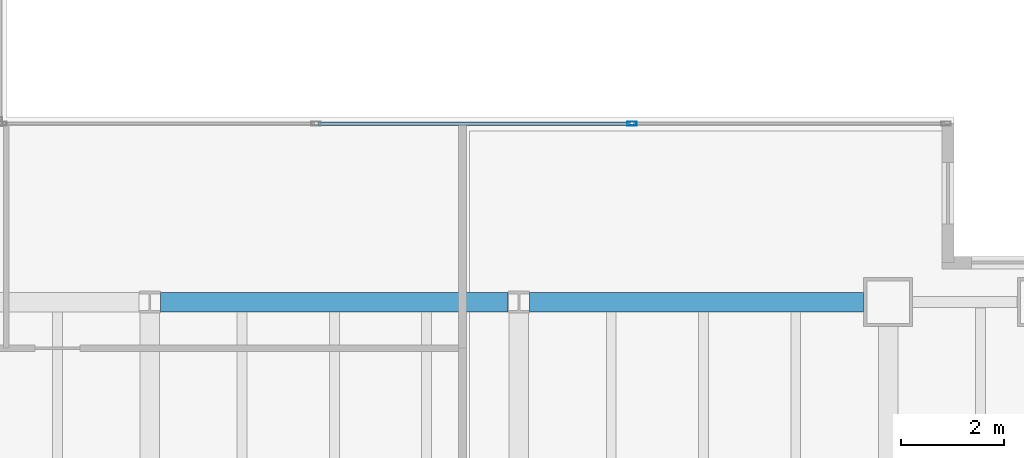
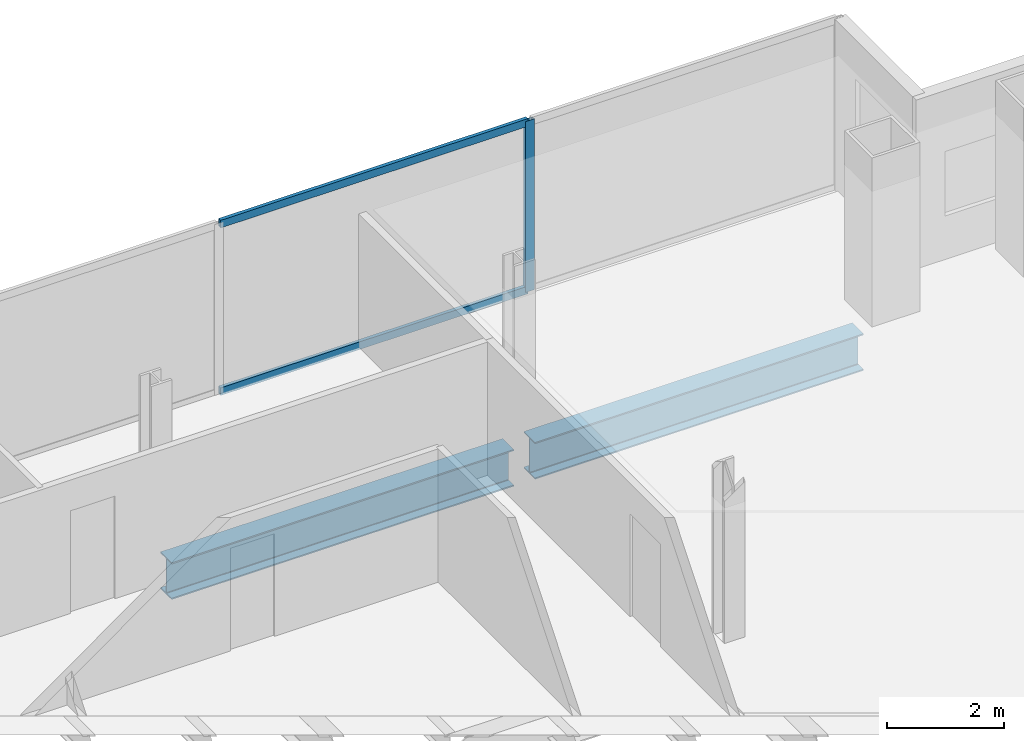
# One storey, part 14 of 24: 3 members, 2 beams, 1 element without a shape of its own.
"""IFC4 building model written with IfcOpenShell, lengths in metres."""

from ifc_helpers import new_model, si_unit, direction, frame, origin, origin_2d, place, context, subcontext, project, spatial, hollow_rectangle, i_section, extrude, material, material_profile, profile_set, type_object, element, aggregate, save


model = new_model("IFC4")

# Units and contexts
model_context = context("Model", 3, precision=1e-05, world=origin(), true_north=direction((0.0, 1.0)))
body_context = subcontext(model_context, "Body", "Model", "MODEL_VIEW")
ifc_project = project(units=[si_unit("LENGTHUNIT", "METRE"), si_unit("AREAUNIT", "SQUARE_METRE"), si_unit("VOLUMEUNIT", "CUBIC_METRE"), si_unit("PLANEANGLEUNIT", "RADIAN"), si_unit("MASSUNIT", "GRAM", prefix="KILO")], contexts=[model_context])

# Site, building, storey
site_placement = place(None, origin())
site = spatial("IfcSite", under=ifc_project, at=site_placement, CompositionType="ELEMENT")
building_placement = place(site_placement, origin())
building = spatial("IfcBuilding", under=site, at=building_placement, Name="Cobrela Telecom Tower", CompositionType="ELEMENT")
storey_placement = place(building_placement, frame((0.0, 0.0, 106.050048828125)))
storey = spatial("IfcBuildingStorey", under=building, at=storey_placement, Name="L26", CompositionType="ELEMENT", Elevation=106.050048828125)

# Beams
ifc_material_1 = material(Name="Steel ASTM A992 Grade 50", Category="steel")
ifc_material_profile_1 = material_profile(ifc_material_1, i_section(OverallWidth=0.381103515625, OverallDepth=0.77197265625, WebThickness=0.0166015625, FlangeThickness=0.027099609375, FilletRadius=0.01904296875, at=origin_2d()), Name="W30X173")
ifc_profile_set_1 = profile_set([ifc_material_profile_1], Name="Steel ASTM A992 Grade 50")
beam_type = type_object("IfcBeamType", Name="BM-GIRD-04", PredefinedType="USERDEFINED", material=ifc_profile_set_1)
beam_1_placement = place(storey_placement, frame((29.009521484375, 21.60009765625, -0.656005859375), z_axis=(1.0, 0.0, 0.0), x_axis=(0.0, 1.0, 0.0)))
element("IfcBeam", 1, at=beam_1_placement, inside=storey, type_object=beam_type, Name="L26 Primary Girder X20", ObjectType="GIRDER", PredefinedType="USERDEFINED", context=body_context, shape_type="SweptSolid", body=[
    extrude(i_section(OverallWidth=0.381103515625, OverallDepth=0.77197265625, WebThickness=0.0166015625, FlangeThickness=0.027099609375, FilletRadius=0.01904296875, at=origin_2d()), origin(), (0.0, 0.0, 1.0), 6.781005859375),
])
beam_2_placement = place(storey_placement, frame((36.20947265625, 21.60009765625, -0.656005859375), z_axis=(1.0, 0.0, 0.0), x_axis=(0.0, 1.0, 0.0)))
element("IfcBeam", 2, at=beam_2_placement, inside=storey, type_object=beam_type, Name="L26 Primary Girder X21", ObjectType="GIRDER", PredefinedType="USERDEFINED", context=body_context, shape_type="SweptSolid", body=[
    extrude(i_section(OverallWidth=0.381103515625, OverallDepth=0.77197265625, WebThickness=0.0166015625, FlangeThickness=0.027099609375, FilletRadius=0.01904296875, at=origin_2d()), origin(), (0.0, 0.0, 1.0), 6.510498046875),
])

# Curtain wall, members
ifc_material_2 = material(Name="Anodized Bronze Aluminium 6063-T6", Category="aluminium")
curtain_wall_type = type_object("IfcCurtainWallType", Name="CW-SYS-TEL", PredefinedType="USERDEFINED", material=ifc_material_2)
curtain_wall_placement = place(storey_placement, origin())
curtain_wall = element("IfcCurtainWall", 3, at=curtain_wall_placement, inside=storey, type_object=curtain_wall_type, Name="L26 Unitised Bronze Curtain Wall 11", ObjectType="UNITISED CURTAIN WALL", PredefinedType="USERDEFINED")
ifc_material_profile_2 = material_profile(ifc_material_2, hollow_rectangle(XDim=0.074951171875, YDim=0.179931640625, WallThickness=0.00390625, at=origin_2d()), Name="ALU 75x180x4")
ifc_profile_set_2 = profile_set([ifc_material_profile_2], Name="Anodized Bronze Aluminium 6063-T6")
member_type_1 = type_object("IfcMemberType", Name="CW-SYS-TEL-MUL", PredefinedType="MULLION", material=ifc_profile_set_2)
member_1_placement = place(storey_placement, frame((38.206787109375, 25.080078125, 0.0), z_axis=(0.0, 0.0, 1.0), x_axis=(0.0, 1.0, 0.0)))
member_1 = element("IfcMember", 4, at=member_1_placement, type_object=member_type_1, Name="CW-TEL mullion 3", PredefinedType="MULLION", context=body_context, shape_type="SweptSolid", body=[
    extrude(hollow_rectangle(XDim=0.074951171875, YDim=0.179931640625, WallThickness=0.00390625, at=origin_2d()), origin(), (0.0, 0.0, 1.0), 3.579833984375),
])
ifc_material_profile_3 = material_profile(ifc_material_2, hollow_rectangle(XDim=0.070068359375, YDim=0.159912109375, WallThickness=0.00390625, at=origin_2d()), Name="ALU 70x160x4")
ifc_profile_set_3 = profile_set([ifc_material_profile_3], Name="Anodized Bronze Aluminium 6063-T6")
member_type_2 = type_object("IfcMemberType", Name="CW-SYS-TEL-TRN", PredefinedType="USERDEFINED", material=ifc_profile_set_3)
member_2_placement = place(storey_placement, frame((32.080810546875, 25.080078125, 0.034912109375), z_axis=(1.0, 0.0, 0.0), x_axis=(0.0, 1.0, 0.0)))
member_2 = element("IfcMember", 5, at=member_2_placement, type_object=member_type_2, Name="CW-TEL transom 2.1", ObjectType="TRANSOM", PredefinedType="USERDEFINED", context=body_context, shape_type="SweptSolid", body=[
    extrude(hollow_rectangle(XDim=0.070068359375, YDim=0.159912109375, WallThickness=0.00390625, at=origin_2d()), origin(), (0.0, 0.0, 1.0), 6.08837890625),
])
member_3_placement = place(storey_placement, frame((32.080810546875, 25.080078125, 3.544921875), z_axis=(1.0, 0.0, 0.0), x_axis=(0.0, 1.0, 0.0)))
member_3 = element("IfcMember", 6, at=member_3_placement, type_object=member_type_2, Name="CW-TEL transom 2.2", ObjectType="TRANSOM", PredefinedType="USERDEFINED", context=body_context, shape_type="SweptSolid", body=[
    extrude(hollow_rectangle(XDim=0.070068359375, YDim=0.159912109375, WallThickness=0.00390625, at=origin_2d()), origin(), (0.0, 0.0, 1.0), 6.08837890625),
])
aggregate(curtain_wall, [member_1, member_2, member_3])

save(model, "model.ifc")
